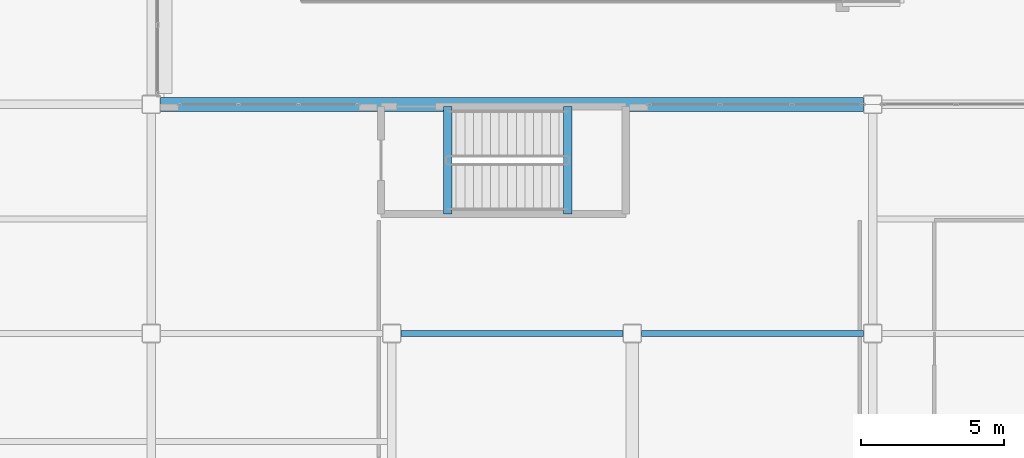
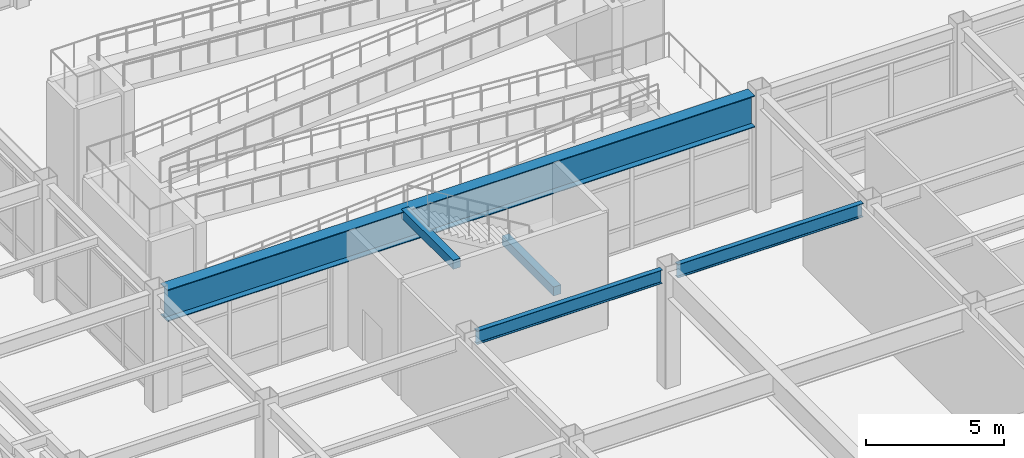
# One storey, part 51 of 165: 5 beams.
"""IFC4 building model written with IfcOpenShell, lengths in metres."""

from ifc_helpers import new_model, si_unit, direction, frame, origin, origin_2d, place, context, subcontext, project, spatial, rectangle, i_section, extrude, material, material_profile, profile_set, type_object, element, save


model = new_model("IFC4")

# Units and contexts
model_context = context("Model", 3, precision=1e-05, world=origin(), true_north=direction((0.0, 1.0)))
body_context = subcontext(model_context, "Body", "Model", "MODEL_VIEW")
ifc_project = project(units=[si_unit("LENGTHUNIT", "METRE"), si_unit("AREAUNIT", "SQUARE_METRE"), si_unit("VOLUMEUNIT", "CUBIC_METRE"), si_unit("PLANEANGLEUNIT", "RADIAN"), si_unit("MASSUNIT", "GRAM", prefix="KILO")], contexts=[model_context])

# Site, building, storey
site_placement = place(None, origin())
site = spatial("IfcSite", under=ifc_project, at=site_placement, CompositionType="ELEMENT")
building_placement = place(site_placement, origin())
building = spatial("IfcBuilding", under=site, at=building_placement, Name="Kazehara Bluff Congress Hotel", CompositionType="ELEMENT")
storey_placement = place(building_placement, origin())
storey = spatial("IfcBuildingStorey", under=building, at=storey_placement, Name="L00", CompositionType="ELEMENT", Elevation=0.0)

# Beams
ifc_material_1 = material(Name="Steel SN490B", Category="steel")
ifc_material_profile_1 = material_profile(ifc_material_1, i_section(OverallWidth=0.5, OverallDepth=1.39990234375, WebThickness=0.02197265625, FlangeThickness=0.035888671875, at=origin_2d()))
ifc_profile_set_1 = profile_set([ifc_material_profile_1], Name="Steel SN490B")
beam_type_1 = type_object("IfcBeamType", Name="TP-G-13", PredefinedType="BEAM", material=ifc_profile_set_1)
beam_placement = place(storey_placement, frame((67.97509765625, 56.449951171875, 4.449951171875), z_axis=(1.0, 0.0, 0.0), x_axis=(0.0, 1.0, 0.0)))
element("IfcBeam", 1, at=beam_placement, inside=storey, type_object=beam_type_1, Name="L00 girder G-13 216", PredefinedType="BEAM", context=body_context, shape_type="SweptSolid", body=[
    extrude(i_section(OverallWidth=0.5, OverallDepth=1.39990234375, WebThickness=0.02197265625, FlangeThickness=0.035888671875, at=origin_2d()), origin(), (0.0, 0.0, 1.0), 24.5498046875),
])
ifc_material_2 = material(Name="Concrete C40/50", Category="concrete")
ifc_material_profile_2 = material_profile(ifc_material_2, rectangle(XDim=0.300048828125, YDim=0.39990234375, at=origin_2d()))
ifc_profile_set_2 = profile_set([ifc_material_profile_2], Name="Concrete C40/50")
beam_type_2 = type_object("IfcBeamType", Name="TP-LN-02", PredefinedType="LINTEL", material=ifc_profile_set_2)
for number, where, z_axis, x_axis, name in (
    (2, (82.199951171875, 52.625, 2.320068359375), (0.0, 1.0, 0.0), (-1.0, 0.0, 0.0), "L00 ST-09 half-landing support beam 1"),
    (3, (78.0, 52.625, 4.969970703125), (0.0, 1.0, 0.0), (-1.0, 0.0, 0.0), "L01 ST-09 stairwell trimmer beam"),
):
    element("IfcBeam", number, at=place(storey_placement, frame(where, z_axis=z_axis, x_axis=x_axis)), inside=storey, type_object=beam_type_2, Name=name, PredefinedType="LINTEL", context=body_context, shape_type="SweptSolid", body=[
        extrude(rectangle(XDim=0.300048828125, YDim=0.39990234375, at=origin_2d()), origin(), (0.0, 0.0, 1.0), 3.75),
    ])
ifc_material_3 = material(Name="Steel SN490B", Category="steel")
ifc_material_profile_3 = material_profile(ifc_material_3, i_section(OverallWidth=0.199951171875, OverallDepth=0.60009765625, WebThickness=0.010986328125, FlangeThickness=0.01708984375, FilletRadius=0.012939453125, at=origin_2d()))
ifc_profile_set_3 = profile_set([ifc_material_profile_3], Name="Steel SN490B")
beam_type_3 = type_object("IfcBeamType", Name="TP-SP-02", PredefinedType="SPANDREL", material=ifc_profile_set_3)
for number, where, z_axis, x_axis, name in (
    (4, (76.375, 48.449951171875, 4.85009765625), (1.0, 0.0, 0.0), (0.0, 1.0, 0.0), "L00 girder SP-02 211"),
    (5, (84.77490234375, 48.449951171875, 4.85009765625), (1.0, 0.0, 0.0), (0.0, 1.0, 0.0), "L00 girder SP-02 212"),
):
    element("IfcBeam", number, at=place(storey_placement, frame(where, z_axis=z_axis, x_axis=x_axis)), inside=storey, type_object=beam_type_3, Name=name, PredefinedType="SPANDREL", context=body_context, shape_type="SweptSolid", body=[
        extrude(i_section(OverallWidth=0.199951171875, OverallDepth=0.60009765625, WebThickness=0.010986328125, FlangeThickness=0.01708984375, FilletRadius=0.012939453125, at=origin_2d()), origin(), (0.0, 0.0, 1.0), 7.75),
    ])

save(model, "model.ifc")
